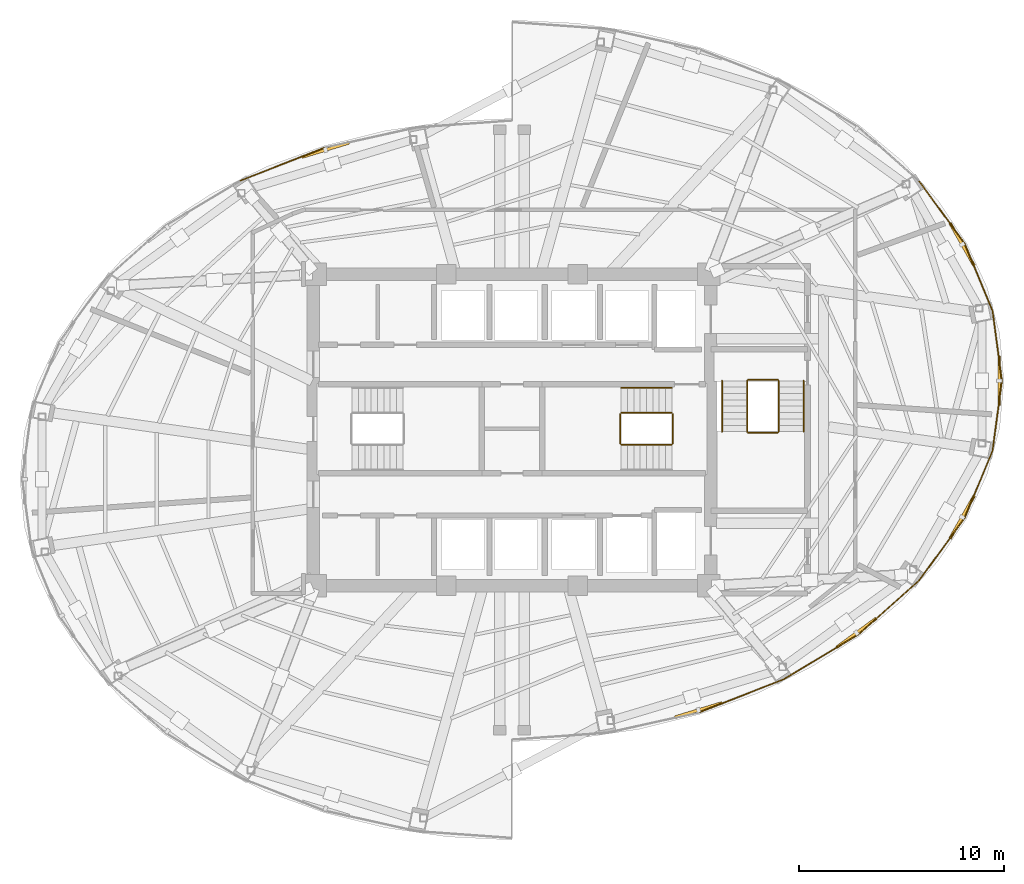
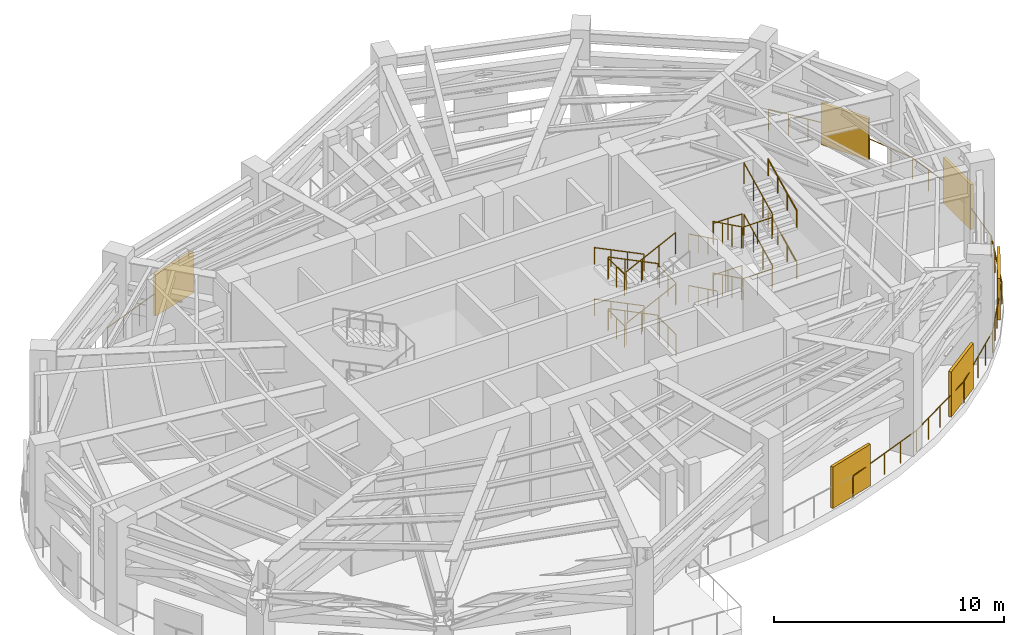
# One storey, part 11 of 12: 32 railings, 6 shading devices.
"""IFC4 building model written with IfcOpenShell, lengths in metres."""

from ifc_helpers import new_model, si_unit, direction, frame, origin, origin_2d, place, context, subcontext, project, spatial, rectangle, circle, extrude, material, type_object, element, save


model = new_model("IFC4")

# Units and contexts
model_context = context("Model", 3, precision=1e-05, world=origin(), true_north=direction((0.0, 1.0)))
body_context = subcontext(model_context, "Body", "Model", "MODEL_VIEW")
ifc_project = project(units=[si_unit("LENGTHUNIT", "METRE"), si_unit("AREAUNIT", "SQUARE_METRE"), si_unit("VOLUMEUNIT", "CUBIC_METRE"), si_unit("PLANEANGLEUNIT", "RADIAN"), si_unit("MASSUNIT", "GRAM", prefix="KILO")], contexts=[model_context])

# Site, building, storey
site_placement = place(None, origin())
site = spatial("IfcSite", under=ifc_project, at=site_placement, CompositionType="ELEMENT")
building_placement = place(site_placement, origin())
building = spatial("IfcBuilding", under=site, at=building_placement, Name="Lazwardi Medical Tower", CompositionType="ELEMENT")
storey_placement = place(building_placement, frame((0.0, 0.0, 189.360107421875)))
storey = spatial("IfcBuildingStorey", under=building, at=storey_placement, Name="L49", CompositionType="ELEMENT", Elevation=189.360107421875)

# Railings
ifc_material_1 = material(Name="Anodised bronze aluminium", Category="aluminium")
railing_type_1 = type_object("IfcRailingType", Name="RLG-BAL-1100", PredefinedType="BALUSTRADE", material=ifc_material_1)
railing_1_placement = place(storey_placement, frame((45.14599609375, 14.232177734375, 0.0)))
element("IfcRailing", 1, at=railing_1_placement, inside=storey, type_object=railing_type_1, Name="L49 Refuge Band Perimeter Balustrade 03", PredefinedType="BALUSTRADE", context=body_context, shape_type="SweptSolid", body=[
    extrude(circle(Radius=0.02392578125, at=origin_2d()), frame((0.0, 0.0, 1.1259765625), z_axis=(0.931220860045, 0.364455360528, 0.0), x_axis=(-0.364455360528, 0.931220860045, 0.0)), (0.0, 0.0, 1.0), 4.437255859375),
    extrude(circle(Radius=0.02099609375, at=origin_2d()), origin(), (0.0, 0.0, 1.0), 1.099853515625),
    extrude(circle(Radius=0.02099609375, at=origin_2d()), frame((1.032958984375, 0.404296875, 0.0)), (0.0, 0.0, 1.0), 1.099853515625),
    extrude(circle(Radius=0.02099609375, at=origin_2d()), frame((2.06591796875, 0.80859375, 0.0)), (0.0, 0.0, 1.0), 1.099853515625),
    extrude(circle(Radius=0.02099609375, at=origin_2d()), frame((3.09912109375, 1.212890625, 0.0)), (0.0, 0.0, 1.0), 1.099853515625),
    extrude(circle(Radius=0.02099609375, at=origin_2d()), frame((4.132080078125, 1.6171875, 0.0)), (0.0, 0.0, 1.0), 1.099853515625),
])
railing_2_placement = place(storey_placement, frame((49.278076171875, 15.849365234375, 0.0)))
element("IfcRailing", 2, at=railing_2_placement, inside=storey, type_object=railing_type_1, Name="L49 Refuge Band Perimeter Balustrade 04", PredefinedType="BALUSTRADE", context=body_context, shape_type="SweptSolid", body=[
    extrude(circle(Radius=0.02392578125, at=origin_2d()), frame((0.0, 0.0, 1.1259765625), z_axis=(0.857161364458, 0.51504795435, 0.0), x_axis=(-0.51504795435, 0.857161364458, 0.0)), (0.0, 0.0, 1.0), 4.225341796875),
    extrude(circle(Radius=0.02099609375, at=origin_2d()), origin(), (0.0, 0.0, 1.0), 1.099853515625),
    extrude(circle(Radius=0.02099609375, at=origin_2d()), frame((0.905517578125, 0.5439453125, 0.0)), (0.0, 0.0, 1.0), 1.099853515625),
    extrude(circle(Radius=0.02099609375, at=origin_2d()), frame((1.81103515625, 1.088134765625, 0.0)), (0.0, 0.0, 1.0), 1.099853515625),
    extrude(circle(Radius=0.02099609375, at=origin_2d()), frame((2.71630859375, 1.63232421875, 0.0)), (0.0, 0.0, 1.0), 1.099853515625),
    extrude(circle(Radius=0.02099609375, at=origin_2d()), frame((3.621826171875, 2.17626953125, 0.0)), (0.0, 0.0, 1.0), 1.099853515625),
])
railing_3_placement = place(storey_placement, frame((52.89990234375, 18.025634765625, 0.0)))
element("IfcRailing", 3, at=railing_3_placement, inside=storey, type_object=railing_type_1, Name="L49 Refuge Band Perimeter Balustrade 05", PredefinedType="BALUSTRADE", context=body_context, shape_type="SweptSolid", body=[
    extrude(circle(Radius=0.02392578125, at=origin_2d()), frame((0.0, 0.0, 1.1259765625), z_axis=(0.746170343463, 0.665755073985, 0.0), x_axis=(-0.665755073985, 0.746170343463, 0.0)), (0.0, 0.0, 1.0), 3.983154296875),
    extrude(circle(Radius=0.02099609375, at=origin_2d()), origin(), (0.0, 0.0, 1.0), 1.099853515625),
    extrude(circle(Radius=0.02099609375, at=origin_2d()), frame((0.7431640625, 0.6630859375, 0.0)), (0.0, 0.0, 1.0), 1.099853515625),
    extrude(circle(Radius=0.02099609375, at=origin_2d()), frame((1.486083984375, 1.325927734375, 0.0)), (0.0, 0.0, 1.0), 1.099853515625),
    extrude(circle(Radius=0.02099609375, at=origin_2d()), frame((2.22900390625, 1.98876953125, 0.0)), (0.0, 0.0, 1.0), 1.099853515625),
    extrude(circle(Radius=0.02099609375, at=origin_2d()), frame((2.97216796875, 2.65185546875, 0.0)), (0.0, 0.0, 1.0), 1.099853515625),
])
railing_4_placement = place(storey_placement, frame((55.8720703125, 20.677490234375, 0.0)))
element("IfcRailing", 4, at=railing_4_placement, inside=storey, type_object=railing_type_1, Name="L49 Refuge Band Perimeter Balustrade 06", PredefinedType="BALUSTRADE", context=body_context, shape_type="SweptSolid", body=[
    extrude(circle(Radius=0.02392578125, at=origin_2d()), frame((0.0, 0.0, 1.1259765625), z_axis=(0.589647217937, 0.807660917947, 0.0), x_axis=(-0.807660917947, 0.589647217937, 0.0)), (0.0, 0.0, 1.0), 3.745849609375),
    extrude(circle(Radius=0.02099609375, at=origin_2d()), origin(), (0.0, 0.0, 1.0), 1.099853515625),
    extrude(circle(Radius=0.02099609375, at=origin_2d()), frame((0.55224609375, 0.75634765625, 0.0)), (0.0, 0.0, 1.0), 1.099853515625),
    extrude(circle(Radius=0.02099609375, at=origin_2d()), frame((1.1044921875, 1.5126953125, 0.0)), (0.0, 0.0, 1.0), 1.099853515625),
    extrude(circle(Radius=0.02099609375, at=origin_2d()), frame((1.656494140625, 2.26904296875, 0.0)), (0.0, 0.0, 1.0), 1.099853515625),
    extrude(circle(Radius=0.02099609375, at=origin_2d()), frame((2.208740234375, 3.025390625, 0.0)), (0.0, 0.0, 1.0), 1.099853515625),
])
railing_5_placement = place(storey_placement, frame((58.080810546875, 23.702880859375, 0.0)))
element("IfcRailing", 5, at=railing_5_placement, inside=storey, type_object=railing_type_1, Name="L49 Refuge Band Perimeter Balustrade 07", PredefinedType="BALUSTRADE", context=body_context, shape_type="SweptSolid", body=[
    extrude(circle(Radius=0.02392578125, at=origin_2d()), frame((0.0, 0.0, 1.1259765625), z_axis=(0.382746191668, 0.923853534259, 0.0), x_axis=(-0.923853534259, 0.382746191668, 0.0)), (0.0, 0.0, 1.0), 3.553466796875),
    extrude(circle(Radius=0.02099609375, at=origin_2d()), origin(), (0.0, 0.0, 1.0), 1.099853515625),
    extrude(circle(Radius=0.02099609375, at=origin_2d()), frame((0.453369140625, 1.09423828125, 0.0)), (0.0, 0.0, 1.0), 1.099853515625),
    extrude(circle(Radius=0.02099609375, at=origin_2d()), frame((0.90673828125, 2.188720703125, 0.0)), (0.0, 0.0, 1.0), 1.099853515625),
    extrude(circle(Radius=0.02099609375, at=origin_2d()), frame((1.360107421875, 3.282958984375, 0.0)), (0.0, 0.0, 1.0), 1.099853515625),
])
railing_6_placement = place(storey_placement, frame((59.44091796875, 26.98583984375, 0.0)))
element("IfcRailing", 6, at=railing_6_placement, inside=storey, type_object=railing_type_1, Name="L49 Refuge Band Perimeter Balustrade 08", PredefinedType="BALUSTRADE", context=body_context, shape_type="SweptSolid", body=[
    extrude(circle(Radius=0.02392578125, at=origin_2d()), frame((0.0, 0.0, 1.1259765625), z_axis=(0.133240659391, 0.991083713258, 0.0), x_axis=(-0.991083713258, 0.133240659391, 0.0)), (0.0, 0.0, 1.0), 3.44482421875),
    extrude(circle(Radius=0.02099609375, at=origin_2d()), origin(), (0.0, 0.0, 1.0), 1.099853515625),
    extrude(circle(Radius=0.02099609375, at=origin_2d()), frame((0.153076171875, 1.137939453125, 0.0)), (0.0, 0.0, 1.0), 1.099853515625),
    extrude(circle(Radius=0.02099609375, at=origin_2d()), frame((0.305908203125, 2.276123046875, 0.0)), (0.0, 0.0, 1.0), 1.099853515625),
    extrude(circle(Radius=0.02099609375, at=origin_2d()), frame((0.458984375, 3.4140625, 0.0)), (0.0, 0.0, 1.0), 1.099853515625),
])
railing_7_placement = place(storey_placement, frame((59.89990234375, 30.39990234375, 0.0)))
element("IfcRailing", 7, at=railing_7_placement, inside=storey, type_object=railing_type_1, Name="L49 Refuge Band Perimeter Balustrade 09", PredefinedType="BALUSTRADE", context=body_context, shape_type="SweptSolid", body=[
    extrude(circle(Radius=0.02392578125, at=origin_2d()), frame((0.0, 0.0, 1.1259765625), z_axis=(-0.133231301116, 0.991084971333, 0.0), x_axis=(-0.991084971333, -0.133231301116, 0.0)), (0.0, 0.0, 1.0), 3.445068359375),
    extrude(circle(Radius=0.02099609375, at=origin_2d()), origin(), (0.0, 0.0, 1.0), 1.099853515625),
    extrude(circle(Radius=0.02099609375, at=origin_2d()), frame((-0.153076171875, 1.13818359375, 0.0)), (0.0, 0.0, 1.0), 1.099853515625),
    extrude(circle(Radius=0.02099609375, at=origin_2d()), frame((-0.305908203125, 2.276123046875, 0.0)), (0.0, 0.0, 1.0), 1.099853515625),
    extrude(circle(Radius=0.02099609375, at=origin_2d()), frame((-0.458984375, 3.414306640625, 0.0)), (0.0, 0.0, 1.0), 1.099853515625),
])
railing_8_placement = place(storey_placement, frame((59.44091796875, 33.814208984375, 0.0)))
element("IfcRailing", 8, at=railing_8_placement, inside=storey, type_object=railing_type_1, Name="L49 Refuge Band Perimeter Balustrade 10", PredefinedType="BALUSTRADE", context=body_context, shape_type="SweptSolid", body=[
    extrude(circle(Radius=0.02392578125, at=origin_2d()), frame((0.0, 0.0, 1.1259765625), z_axis=(-0.382770486669, 0.923843468633, 0.0), x_axis=(-0.923843468633, -0.382770486669, 0.0)), (0.0, 0.0, 1.0), 3.55322265625),
    extrude(circle(Radius=0.02099609375, at=origin_2d()), origin(), (0.0, 0.0, 1.0), 1.099853515625),
    extrude(circle(Radius=0.02099609375, at=origin_2d()), frame((-0.453369140625, 1.09423828125, 0.0)), (0.0, 0.0, 1.0), 1.099853515625),
    extrude(circle(Radius=0.02099609375, at=origin_2d()), frame((-0.90673828125, 2.1884765625, 0.0)), (0.0, 0.0, 1.0), 1.099853515625),
    extrude(circle(Radius=0.02099609375, at=origin_2d()), frame((-1.360107421875, 3.28271484375, 0.0)), (0.0, 0.0, 1.0), 1.099853515625),
])
railing_9_placement = place(storey_placement, frame((58.080810546875, 37.096923828125, 0.0)))
element("IfcRailing", 9, at=railing_9_placement, inside=storey, type_object=railing_type_1, Name="L49 Refuge Band Perimeter Balustrade 11", PredefinedType="BALUSTRADE", context=body_context, shape_type="SweptSolid", body=[
    extrude(circle(Radius=0.02392578125, at=origin_2d()), frame((0.0, 0.0, 1.1259765625), z_axis=(-0.589616180045, 0.807683576798, 0.0), x_axis=(-0.807683576798, -0.589616180045, 0.0)), (0.0, 0.0, 1.0), 3.74609375),
    extrude(circle(Radius=0.02099609375, at=origin_2d()), origin(), (0.0, 0.0, 1.0), 1.099853515625),
    extrude(circle(Radius=0.02099609375, at=origin_2d()), frame((-0.55224609375, 0.75634765625, 0.0)), (0.0, 0.0, 1.0), 1.099853515625),
    extrude(circle(Radius=0.02099609375, at=origin_2d()), frame((-1.1044921875, 1.5126953125, 0.0)), (0.0, 0.0, 1.0), 1.099853515625),
    extrude(circle(Radius=0.02099609375, at=origin_2d()), frame((-1.656494140625, 2.269287109375, 0.0)), (0.0, 0.0, 1.0), 1.099853515625),
    extrude(circle(Radius=0.02099609375, at=origin_2d()), frame((-2.208740234375, 3.025634765625, 0.0)), (0.0, 0.0, 1.0), 1.099853515625),
])
railing_10_placement = place(storey_placement, frame((26.85400390625, 41.767822265625, 0.0)))
element("IfcRailing", 10, at=railing_10_placement, inside=storey, type_object=railing_type_1, Name="L49 Refuge Band Perimeter Balustrade 20", PredefinedType="BALUSTRADE", context=body_context, shape_type="SweptSolid", body=[
    extrude(circle(Radius=0.02392578125, at=origin_2d()), frame((0.0, 0.0, 1.1259765625), z_axis=(-0.931220860045, -0.364455360528, 0.0), x_axis=(0.364455360528, -0.931220860045, 0.0)), (0.0, 0.0, 1.0), 4.437255859375),
    extrude(circle(Radius=0.02099609375, at=origin_2d()), origin(), (0.0, 0.0, 1.0), 1.099853515625),
    extrude(circle(Radius=0.02099609375, at=origin_2d()), frame((-1.032958984375, -0.404296875, 0.0)), (0.0, 0.0, 1.0), 1.099853515625),
    extrude(circle(Radius=0.02099609375, at=origin_2d()), frame((-2.06591796875, -0.80859375, 0.0)), (0.0, 0.0, 1.0), 1.099853515625),
    extrude(circle(Radius=0.02099609375, at=origin_2d()), frame((-3.09912109375, -1.212890625, 0.0)), (0.0, 0.0, 1.0), 1.099853515625),
    extrude(circle(Radius=0.02099609375, at=origin_2d()), frame((-4.132080078125, -1.6171875, 0.0)), (0.0, 0.0, 1.0), 1.099853515625),
])
ifc_material_2 = material(Name="Stainless steel Grade 316", Category="steel")
railing_type_2 = type_object("IfcRailingType", Name="RLG-GRD-1150", PredefinedType="GUARDRAIL", material=ifc_material_2)
railing_11_placement = place(storey_placement, frame((43.800048828125, 28.830078125, 0.15185546875)))
element("IfcRailing", 11, at=railing_11_placement, inside=storey, type_object=railing_type_2, Name="L49 ST2 stair guard 1", PredefinedType="GUARDRAIL", context=body_context, shape_type="SweptSolid", body=[
    extrude(circle(Radius=0.02392578125, at=origin_2d()), frame((0.0, 0.0, 1.1259765625), z_axis=(-0.897865232124, 0.0, 0.440270399804), x_axis=(0.0, -1.0, 0.0)), (0.0, 0.0, 1.0), 2.76220703125),
    extrude(circle(Radius=0.02099609375, at=origin_2d()), origin(), (0.0, 0.0, 1.0), 1.099853515625),
    extrude(circle(Radius=0.02099609375, at=origin_2d()), frame((-0.82666015625, 0.0, 0.4052734375)), (0.0, 0.0, 1.0), 1.099853515625),
    extrude(circle(Radius=0.02099609375, at=origin_2d()), frame((-1.6533203125, 0.0, 0.810791015625)), (0.0, 0.0, 1.0), 1.099853515625),
    extrude(circle(Radius=0.02099609375, at=origin_2d()), frame((-2.47998046875, 0.0, 1.216064453125)), (0.0, 0.0, 1.0), 1.099853515625),
])
railing_12_placement = place(storey_placement, frame((41.27001953125, 28.780029296875, 1.367919921875)))
element("IfcRailing", 12, at=railing_12_placement, inside=storey, type_object=railing_type_2, Name="L49 ST2 stair guard 2", PredefinedType="GUARDRAIL", context=body_context, shape_type="SweptSolid", body=[
    extrude(circle(Radius=0.02392578125, at=origin_2d()), frame((0.0, 0.0, 1.1259765625), z_axis=(0.0, -1.0, 0.0), x_axis=(1.0, 0.0, 0.0)), (0.0, 0.0, 1.0), 1.43994140625),
    extrude(circle(Radius=0.02099609375, at=origin_2d()), origin(), (0.0, 0.0, 1.0), 1.099853515625),
    extrude(circle(Radius=0.02099609375, at=origin_2d()), frame((0.0, -0.719970703125, 0.0)), (0.0, 0.0, 1.0), 1.099853515625),
    extrude(circle(Radius=0.02099609375, at=origin_2d()), frame((0.0, -1.43994140625, 0.0)), (0.0, 0.0, 1.0), 1.099853515625),
])
railing_13_placement = place(storey_placement, frame((41.320068359375, 27.2900390625, 1.519775390625)))
element("IfcRailing", 13, at=railing_13_placement, inside=storey, type_object=railing_type_2, Name="L49 ST2 stair guard 3", PredefinedType="GUARDRAIL", context=body_context, shape_type="SweptSolid", body=[
    extrude(circle(Radius=0.02392578125, at=origin_2d()), frame((0.0, 0.0, 1.1259765625), z_axis=(0.897865232124, 0.0, 0.440270399804), x_axis=(0.0, 1.0, 0.0)), (0.0, 0.0, 1.0), 2.76220703125),
    extrude(circle(Radius=0.02099609375, at=origin_2d()), origin(), (0.0, 0.0, 1.0), 1.099853515625),
    extrude(circle(Radius=0.02099609375, at=origin_2d()), frame((0.82666015625, 0.0, 0.4052734375)), (0.0, 0.0, 1.0), 1.099853515625),
    extrude(circle(Radius=0.02099609375, at=origin_2d()), frame((1.6533203125, 0.0, 0.810791015625)), (0.0, 0.0, 1.0), 1.099853515625),
    extrude(circle(Radius=0.02099609375, at=origin_2d()), frame((2.47998046875, 0.0, 1.216064453125)), (0.0, 0.0, 1.0), 1.099853515625),
])
railing_14_placement = place(storey_placement, frame((43.85009765625, 28.780029296875, 2.73583984375)))
element("IfcRailing", 14, at=railing_14_placement, inside=storey, type_object=railing_type_2, Name="L49 ST2 stair guard 4", PredefinedType="GUARDRAIL", context=body_context, shape_type="SweptSolid", body=[
    extrude(circle(Radius=0.02392578125, at=origin_2d()), frame((0.0, 0.0, 1.1259765625), z_axis=(0.0, -1.0, 0.0), x_axis=(1.0, 0.0, 0.0)), (0.0, 0.0, 1.0), 1.43994140625),
    extrude(circle(Radius=0.02099609375, at=origin_2d()), origin(), (0.0, 0.0, 1.0), 1.099853515625),
    extrude(circle(Radius=0.02099609375, at=origin_2d()), frame((0.0, -0.719970703125, 0.0)), (0.0, 0.0, 1.0), 1.099853515625),
    extrude(circle(Radius=0.02099609375, at=origin_2d()), frame((0.0, -1.43994140625, 0.0)), (0.0, 0.0, 1.0), 1.099853515625),
])
railing_15_placement = place(storey_placement, frame((43.800048828125, 28.830078125, 2.887939453125)))
element("IfcRailing", 15, at=railing_15_placement, inside=storey, type_object=railing_type_2, Name="L49 ST2 stair guard 5", PredefinedType="GUARDRAIL", context=body_context, shape_type="SweptSolid", body=[
    extrude(circle(Radius=0.02392578125, at=origin_2d()), frame((0.0, 0.0, 1.1259765625), z_axis=(-0.897865232124, 0.0, 0.440270399804), x_axis=(0.0, -1.0, 0.0)), (0.0, 0.0, 1.0), 2.76220703125),
    extrude(circle(Radius=0.02099609375, at=origin_2d()), origin(), (0.0, 0.0, 1.0), 1.099853515625),
    extrude(circle(Radius=0.02099609375, at=origin_2d()), frame((-0.82666015625, 0.0, 0.4052734375)), (0.0, 0.0, 1.0), 1.099853515625),
    extrude(circle(Radius=0.02099609375, at=origin_2d()), frame((-1.6533203125, 0.0, 0.810791015625)), (0.0, 0.0, 1.0), 1.099853515625),
    extrude(circle(Radius=0.02099609375, at=origin_2d()), frame((-2.47998046875, 0.0, 1.216064453125)), (0.0, 0.0, 1.0), 1.099853515625),
])
railing_16_placement = place(storey_placement, frame((41.27001953125, 28.780029296875, 4.10400390625)))
element("IfcRailing", 16, at=railing_16_placement, inside=storey, type_object=railing_type_2, Name="L49 ST2 stair guard 6", PredefinedType="GUARDRAIL", context=body_context, shape_type="SweptSolid", body=[
    extrude(circle(Radius=0.02392578125, at=origin_2d()), frame((0.0, 0.0, 1.1259765625), z_axis=(0.0, -1.0, 0.0), x_axis=(1.0, 0.0, 0.0)), (0.0, 0.0, 1.0), 1.43994140625),
    extrude(circle(Radius=0.02099609375, at=origin_2d()), origin(), (0.0, 0.0, 1.0), 1.099853515625),
    extrude(circle(Radius=0.02099609375, at=origin_2d()), frame((0.0, -0.719970703125, 0.0)), (0.0, 0.0, 1.0), 1.099853515625),
    extrude(circle(Radius=0.02099609375, at=origin_2d()), frame((0.0, -1.43994140625, 0.0)), (0.0, 0.0, 1.0), 1.099853515625),
])
railing_17_placement = place(storey_placement, frame((41.320068359375, 27.2900390625, 4.255859375)))
element("IfcRailing", 17, at=railing_17_placement, inside=storey, type_object=railing_type_2, Name="L49 ST2 stair guard 7", PredefinedType="GUARDRAIL", context=body_context, shape_type="SweptSolid", body=[
    extrude(circle(Radius=0.02392578125, at=origin_2d()), frame((0.0, 0.0, 1.1259765625), z_axis=(0.897865232124, 0.0, 0.440270399804), x_axis=(0.0, 1.0, 0.0)), (0.0, 0.0, 1.0), 2.76220703125),
    extrude(circle(Radius=0.02099609375, at=origin_2d()), origin(), (0.0, 0.0, 1.0), 1.099853515625),
    extrude(circle(Radius=0.02099609375, at=origin_2d()), frame((0.82666015625, 0.0, 0.4052734375)), (0.0, 0.0, 1.0), 1.099853515625),
    extrude(circle(Radius=0.02099609375, at=origin_2d()), frame((1.6533203125, 0.0, 0.810791015625)), (0.0, 0.0, 1.0), 1.099853515625),
    extrude(circle(Radius=0.02099609375, at=origin_2d()), frame((2.47998046875, 0.0, 1.216064453125)), (0.0, 0.0, 1.0), 1.099853515625),
])
railing_18_placement = place(storey_placement, frame((43.85009765625, 28.780029296875, 0.0)))
element("IfcRailing", 18, at=railing_18_placement, inside=storey, type_object=railing_type_2, Name="L49 ST2 stair guard 8", PredefinedType="GUARDRAIL", context=body_context, shape_type="SweptSolid", body=[
    extrude(circle(Radius=0.02392578125, at=origin_2d()), frame((0.0, 0.0, 1.1259765625), z_axis=(0.0, -1.0, 0.0), x_axis=(1.0, 0.0, 0.0)), (0.0, 0.0, 1.0), 1.43994140625),
    extrude(circle(Radius=0.02099609375, at=origin_2d()), origin(), (0.0, 0.0, 1.0), 1.099853515625),
    extrude(circle(Radius=0.02099609375, at=origin_2d()), frame((0.0, -0.719970703125, 0.0)), (0.0, 0.0, 1.0), 1.099853515625),
    extrude(circle(Radius=0.02099609375, at=origin_2d()), frame((0.0, -1.43994140625, 0.0)), (0.0, 0.0, 1.0), 1.099853515625),
])
railing_19_placement = place(storey_placement, frame((47.469970703125, 30.39990234375, 0.15185546875)))
element("IfcRailing", 19, at=railing_19_placement, inside=storey, type_object=railing_type_2, Name="L49 ST3 stair guard 1", PredefinedType="GUARDRAIL", context=body_context, shape_type="SweptSolid", body=[
    extrude(circle(Radius=0.02392578125, at=origin_2d()), frame((0.0, 0.0, 1.1259765625), z_axis=(0.0, -0.897865232124, 0.440270399804), x_axis=(1.0, 0.0, 0.0)), (0.0, 0.0, 1.0), 2.76220703125),
    extrude(circle(Radius=0.02099609375, at=origin_2d()), origin(), (0.0, 0.0, 1.0), 1.099853515625),
    extrude(circle(Radius=0.02099609375, at=origin_2d()), frame((0.0, -0.82666015625, 0.4052734375)), (0.0, 0.0, 1.0), 1.099853515625),
    extrude(circle(Radius=0.02099609375, at=origin_2d()), frame((0.0, -1.6533203125, 0.810791015625)), (0.0, 0.0, 1.0), 1.099853515625),
    extrude(circle(Radius=0.02099609375, at=origin_2d()), frame((0.0, -2.47998046875, 1.216064453125)), (0.0, 0.0, 1.0), 1.099853515625),
])
railing_20_placement = place(storey_placement, frame((47.52001953125, 27.8701171875, 1.367919921875)))
element("IfcRailing", 20, at=railing_20_placement, inside=storey, type_object=railing_type_2, Name="L49 ST3 stair guard 2", PredefinedType="GUARDRAIL", context=body_context, shape_type="SweptSolid", body=[
    extrude(circle(Radius=0.02392578125, at=origin_2d()), frame((0.0, 0.0, 1.1259765625), z_axis=(1.0, 0.0, 0.0), x_axis=(0.0, 1.0, 0.0)), (0.0, 0.0, 1.0), 1.43994140625),
    extrude(circle(Radius=0.02099609375, at=origin_2d()), origin(), (0.0, 0.0, 1.0), 1.099853515625),
    extrude(circle(Radius=0.02099609375, at=origin_2d()), frame((0.719970703125, 0.0, 0.0)), (0.0, 0.0, 1.0), 1.099853515625),
    extrude(circle(Radius=0.02099609375, at=origin_2d()), frame((1.43994140625, 0.0, 0.0)), (0.0, 0.0, 1.0), 1.099853515625),
])
railing_21_placement = place(storey_placement, frame((49.010009765625, 27.919921875, 1.519775390625)))
element("IfcRailing", 21, at=railing_21_placement, inside=storey, type_object=railing_type_2, Name="L49 ST3 stair guard 3", PredefinedType="GUARDRAIL", context=body_context, shape_type="SweptSolid", body=[
    extrude(circle(Radius=0.02392578125, at=origin_2d()), frame((0.0, 0.0, 1.1259765625), z_axis=(0.0, 0.897865232124, 0.440270399804), x_axis=(-1.0, 0.0, 0.0)), (0.0, 0.0, 1.0), 2.76220703125),
    extrude(circle(Radius=0.02099609375, at=origin_2d()), origin(), (0.0, 0.0, 1.0), 1.099853515625),
    extrude(circle(Radius=0.02099609375, at=origin_2d()), frame((0.0, 0.82666015625, 0.4052734375)), (0.0, 0.0, 1.0), 1.099853515625),
    extrude(circle(Radius=0.02099609375, at=origin_2d()), frame((0.0, 1.6533203125, 0.810791015625)), (0.0, 0.0, 1.0), 1.099853515625),
    extrude(circle(Radius=0.02099609375, at=origin_2d()), frame((0.0, 2.47998046875, 1.216064453125)), (0.0, 0.0, 1.0), 1.099853515625),
])
railing_22_placement = place(storey_placement, frame((47.52001953125, 30.449951171875, 2.73583984375)))
element("IfcRailing", 22, at=railing_22_placement, inside=storey, type_object=railing_type_2, Name="L49 ST3 stair guard 4", PredefinedType="GUARDRAIL", context=body_context, shape_type="SweptSolid", body=[
    extrude(circle(Radius=0.02392578125, at=origin_2d()), frame((0.0, 0.0, 1.1259765625), z_axis=(1.0, 0.0, 0.0), x_axis=(0.0, 1.0, 0.0)), (0.0, 0.0, 1.0), 1.43994140625),
    extrude(circle(Radius=0.02099609375, at=origin_2d()), origin(), (0.0, 0.0, 1.0), 1.099853515625),
    extrude(circle(Radius=0.02099609375, at=origin_2d()), frame((0.719970703125, 0.0, 0.0)), (0.0, 0.0, 1.0), 1.099853515625),
    extrude(circle(Radius=0.02099609375, at=origin_2d()), frame((1.43994140625, 0.0, 0.0)), (0.0, 0.0, 1.0), 1.099853515625),
])
railing_23_placement = place(storey_placement, frame((47.469970703125, 30.39990234375, 2.887939453125)))
element("IfcRailing", 23, at=railing_23_placement, inside=storey, type_object=railing_type_2, Name="L49 ST3 stair guard 5", PredefinedType="GUARDRAIL", context=body_context, shape_type="SweptSolid", body=[
    extrude(circle(Radius=0.02392578125, at=origin_2d()), frame((0.0, 0.0, 1.1259765625), z_axis=(0.0, -0.897865232124, 0.440270399804), x_axis=(1.0, 0.0, 0.0)), (0.0, 0.0, 1.0), 2.76220703125),
    extrude(circle(Radius=0.02099609375, at=origin_2d()), origin(), (0.0, 0.0, 1.0), 1.099853515625),
    extrude(circle(Radius=0.02099609375, at=origin_2d()), frame((0.0, -0.82666015625, 0.4052734375)), (0.0, 0.0, 1.0), 1.099853515625),
    extrude(circle(Radius=0.02099609375, at=origin_2d()), frame((0.0, -1.6533203125, 0.810791015625)), (0.0, 0.0, 1.0), 1.099853515625),
    extrude(circle(Radius=0.02099609375, at=origin_2d()), frame((0.0, -2.47998046875, 1.216064453125)), (0.0, 0.0, 1.0), 1.099853515625),
])
railing_24_placement = place(storey_placement, frame((47.52001953125, 27.8701171875, 4.10400390625)))
element("IfcRailing", 24, at=railing_24_placement, inside=storey, type_object=railing_type_2, Name="L49 ST3 stair guard 6", PredefinedType="GUARDRAIL", context=body_context, shape_type="SweptSolid", body=[
    extrude(circle(Radius=0.02392578125, at=origin_2d()), frame((0.0, 0.0, 1.1259765625), z_axis=(1.0, 0.0, 0.0), x_axis=(0.0, 1.0, 0.0)), (0.0, 0.0, 1.0), 1.43994140625),
    extrude(circle(Radius=0.02099609375, at=origin_2d()), origin(), (0.0, 0.0, 1.0), 1.099853515625),
    extrude(circle(Radius=0.02099609375, at=origin_2d()), frame((0.719970703125, 0.0, 0.0)), (0.0, 0.0, 1.0), 1.099853515625),
    extrude(circle(Radius=0.02099609375, at=origin_2d()), frame((1.43994140625, 0.0, 0.0)), (0.0, 0.0, 1.0), 1.099853515625),
])
railing_25_placement = place(storey_placement, frame((49.010009765625, 27.919921875, 4.255859375)))
element("IfcRailing", 25, at=railing_25_placement, inside=storey, type_object=railing_type_2, Name="L49 ST3 stair guard 7", PredefinedType="GUARDRAIL", context=body_context, shape_type="SweptSolid", body=[
    extrude(circle(Radius=0.02392578125, at=origin_2d()), frame((0.0, 0.0, 1.1259765625), z_axis=(0.0, 0.897865232124, 0.440270399804), x_axis=(-1.0, 0.0, 0.0)), (0.0, 0.0, 1.0), 2.76220703125),
    extrude(circle(Radius=0.02099609375, at=origin_2d()), origin(), (0.0, 0.0, 1.0), 1.099853515625),
    extrude(circle(Radius=0.02099609375, at=origin_2d()), frame((0.0, 0.82666015625, 0.4052734375)), (0.0, 0.0, 1.0), 1.099853515625),
    extrude(circle(Radius=0.02099609375, at=origin_2d()), frame((0.0, 1.6533203125, 0.810791015625)), (0.0, 0.0, 1.0), 1.099853515625),
    extrude(circle(Radius=0.02099609375, at=origin_2d()), frame((0.0, 2.47998046875, 1.216064453125)), (0.0, 0.0, 1.0), 1.099853515625),
])
railing_26_placement = place(storey_placement, frame((47.52001953125, 30.449951171875, 0.0)))
element("IfcRailing", 26, at=railing_26_placement, inside=storey, type_object=railing_type_2, Name="L49 ST3 stair guard 8", PredefinedType="GUARDRAIL", context=body_context, shape_type="SweptSolid", body=[
    extrude(circle(Radius=0.02392578125, at=origin_2d()), frame((0.0, 0.0, 1.1259765625), z_axis=(1.0, 0.0, 0.0), x_axis=(0.0, 1.0, 0.0)), (0.0, 0.0, 1.0), 1.43994140625),
    extrude(circle(Radius=0.02099609375, at=origin_2d()), origin(), (0.0, 0.0, 1.0), 1.099853515625),
    extrude(circle(Radius=0.02099609375, at=origin_2d()), frame((0.719970703125, 0.0, 0.0)), (0.0, 0.0, 1.0), 1.099853515625),
    extrude(circle(Radius=0.02099609375, at=origin_2d()), frame((1.43994140625, 0.0, 0.0)), (0.0, 0.0, 1.0), 1.099853515625),
])
railing_type_3 = type_object("IfcRailingType", Name="RLG-HND-920", PredefinedType="HANDRAIL", material=ifc_material_2)
for number, where, name in (
    (27, (43.800048828125, 30.050048828125, 0.15185546875), "L49 ST2 stair handrail 1"),
    (28, (43.800048828125, 30.050048828125, 2.887939453125), "L49 ST2 stair handrail 3"),
):
    element("IfcRailing", number, at=place(storey_placement, frame(where)), inside=storey, type_object=railing_type_3, Name=name, PredefinedType="HANDRAIL", context=body_context, shape_type="SweptSolid", body=[
        extrude(circle(Radius=0.02392578125, at=origin_2d()), frame((0.0, 0.0, 0.8857421875), z_axis=(-0.897865232124, 0.0, 0.440270399804), x_axis=(0.0, -1.0, 0.0)), (0.0, 0.0, 1.0), 2.76220703125),
        extrude(circle(Radius=0.02099609375, at=origin_2d()), origin(), (0.0, 0.0, 1.0), 0.85986328125),
        extrude(circle(Radius=0.02099609375, at=origin_2d()), frame((-0.82666015625, 0.0, 0.4052734375)), (0.0, 0.0, 1.0), 0.85986328125),
        extrude(circle(Radius=0.02099609375, at=origin_2d()), frame((-1.6533203125, 0.0, 0.810791015625)), (0.0, 0.0, 1.0), 0.85986328125),
        extrude(circle(Radius=0.02099609375, at=origin_2d()), frame((-2.47998046875, 0.0, 1.216064453125)), (0.0, 0.0, 1.0), 0.85986328125),
    ])
railing_27_placement = place(storey_placement, frame((46.25, 30.39990234375, 0.15185546875)))
element("IfcRailing", 29, at=railing_27_placement, inside=storey, type_object=railing_type_3, Name="L49 ST3 stair handrail 1", PredefinedType="HANDRAIL", context=body_context, shape_type="SweptSolid", body=[
    extrude(circle(Radius=0.02392578125, at=origin_2d()), frame((0.0, 0.0, 0.8857421875), z_axis=(0.0, -0.897865232124, 0.440270399804), x_axis=(1.0, 0.0, 0.0)), (0.0, 0.0, 1.0), 2.76220703125),
    extrude(circle(Radius=0.02099609375, at=origin_2d()), origin(), (0.0, 0.0, 1.0), 0.85986328125),
    extrude(circle(Radius=0.02099609375, at=origin_2d()), frame((0.0, -0.82666015625, 0.4052734375)), (0.0, 0.0, 1.0), 0.85986328125),
    extrude(circle(Radius=0.02099609375, at=origin_2d()), frame((0.0, -1.6533203125, 0.810791015625)), (0.0, 0.0, 1.0), 0.85986328125),
    extrude(circle(Radius=0.02099609375, at=origin_2d()), frame((0.0, -2.47998046875, 1.216064453125)), (0.0, 0.0, 1.0), 0.85986328125),
])
railing_28_placement = place(storey_placement, frame((50.22998046875, 27.919921875, 1.519775390625)))
element("IfcRailing", 30, at=railing_28_placement, inside=storey, type_object=railing_type_3, Name="L49 ST3 stair handrail 2", PredefinedType="HANDRAIL", context=body_context, shape_type="SweptSolid", body=[
    extrude(circle(Radius=0.02392578125, at=origin_2d()), frame((0.0, 0.0, 0.8857421875), z_axis=(0.0, 0.897865232124, 0.440270399804), x_axis=(-1.0, 0.0, 0.0)), (0.0, 0.0, 1.0), 2.76220703125),
    extrude(circle(Radius=0.02099609375, at=origin_2d()), origin(), (0.0, 0.0, 1.0), 0.85986328125),
    extrude(circle(Radius=0.02099609375, at=origin_2d()), frame((0.0, 0.82666015625, 0.4052734375)), (0.0, 0.0, 1.0), 0.85986328125),
    extrude(circle(Radius=0.02099609375, at=origin_2d()), frame((0.0, 1.6533203125, 0.810791015625)), (0.0, 0.0, 1.0), 0.85986328125),
    extrude(circle(Radius=0.02099609375, at=origin_2d()), frame((0.0, 2.47998046875, 1.216064453125)), (0.0, 0.0, 1.0), 0.85986328125),
])
railing_29_placement = place(storey_placement, frame((46.25, 30.39990234375, 2.887939453125)))
element("IfcRailing", 31, at=railing_29_placement, inside=storey, type_object=railing_type_3, Name="L49 ST3 stair handrail 3", PredefinedType="HANDRAIL", context=body_context, shape_type="SweptSolid", body=[
    extrude(circle(Radius=0.02392578125, at=origin_2d()), frame((0.0, 0.0, 0.8857421875), z_axis=(0.0, -0.897865232124, 0.440270399804), x_axis=(1.0, 0.0, 0.0)), (0.0, 0.0, 1.0), 2.76220703125),
    extrude(circle(Radius=0.02099609375, at=origin_2d()), origin(), (0.0, 0.0, 1.0), 0.85986328125),
    extrude(circle(Radius=0.02099609375, at=origin_2d()), frame((0.0, -0.82666015625, 0.4052734375)), (0.0, 0.0, 1.0), 0.85986328125),
    extrude(circle(Radius=0.02099609375, at=origin_2d()), frame((0.0, -1.6533203125, 0.810791015625)), (0.0, 0.0, 1.0), 0.85986328125),
    extrude(circle(Radius=0.02099609375, at=origin_2d()), frame((0.0, -2.47998046875, 1.216064453125)), (0.0, 0.0, 1.0), 0.85986328125),
])
railing_30_placement = place(storey_placement, frame((50.22998046875, 27.919921875, 4.255859375)))
element("IfcRailing", 32, at=railing_30_placement, inside=storey, type_object=railing_type_3, Name="L49 ST3 stair handrail 4", PredefinedType="HANDRAIL", context=body_context, shape_type="SweptSolid", body=[
    extrude(circle(Radius=0.02392578125, at=origin_2d()), frame((0.0, 0.0, 0.8857421875), z_axis=(0.0, 0.897865232124, 0.440270399804), x_axis=(-1.0, 0.0, 0.0)), (0.0, 0.0, 1.0), 2.76220703125),
    extrude(circle(Radius=0.02099609375, at=origin_2d()), origin(), (0.0, 0.0, 1.0), 0.85986328125),
    extrude(circle(Radius=0.02099609375, at=origin_2d()), frame((0.0, 0.82666015625, 0.4052734375)), (0.0, 0.0, 1.0), 0.85986328125),
    extrude(circle(Radius=0.02099609375, at=origin_2d()), frame((0.0, 1.6533203125, 0.810791015625)), (0.0, 0.0, 1.0), 0.85986328125),
    extrude(circle(Radius=0.02099609375, at=origin_2d()), frame((0.0, 2.47998046875, 1.216064453125)), (0.0, 0.0, 1.0), 0.85986328125),
])

# Shading devices
ifc_material_3 = material(Name="Anodised bronze aluminium storm louvre", Category="aluminium")
shading_device_type_1 = type_object("IfcShadingDeviceType", Name="SHD-LVR-01", PredefinedType="JALOUSIE", material=ifc_material_3)
for number, where, z_axis, x_axis, name in (
    (33, (45.09521484375, 14.337158203125, 0.0), (0.0, 0.0, 1.0), (0.957032496358, 0.28998069059, 0.0), "L49 Tropical Storm Louvre 01"),
    (34, (57.95751953125, 23.74658203125, 0.0), (0.0, 0.0, 1.0), (0.49272582279, 0.87018461464, 0.0), "L49 Tropical Storm Louvre 03"),
    (35, (57.95751953125, 37.053466796875, 0.0), (0.0, 0.0, 1.0), (-0.49272582279, 0.87018461464, 0.0), "L49 Tropical Storm Louvre 05"),
    (36, (26.90478515625, 41.662841796875, 0.0), (0.0, 0.0, 1.0), (-0.957032496358, -0.28998069059, 0.0), "L49 Tropical Storm Louvre 09"),
):
    element("IfcShadingDevice", number, at=place(storey_placement, frame(where, z_axis=z_axis, x_axis=x_axis)), inside=storey, type_object=shading_device_type_1, Name=name, PredefinedType="JALOUSIE", context=body_context, shape_type="SweptSolid", body=[
        extrude(rectangle(XDim=2.39990234375, YDim=0.139892578125, at=origin_2d()), origin(), (0.0, 0.0, 1.0), 2.199951171875),
    ])
ifc_material_4 = material(Name="Perforated bronze girih solar screen", Category="aluminium")
shading_device_type_2 = type_object("IfcShadingDeviceType", Name="SHD-SCR-01", PredefinedType="USERDEFINED", material=ifc_material_4)
for number, where, z_axis, x_axis, name in (
    (37, (52.805419921875, 18.10595703125, 0.0), (0.0, 0.0, 1.0), (0.807100478393, 0.590414107028, 0.0), "L49 Bronze Girih Solar Screen 02"),
    (38, (59.7666015625, 30.39990234375, 0.0), (0.0, 0.0, 1.0), (0.0, 1.0, 0.0), "L49 Bronze Girih Solar Screen 04"),
):
    element("IfcShadingDevice", number, at=place(storey_placement, frame(where, z_axis=z_axis, x_axis=x_axis)), inside=storey, type_object=shading_device_type_2, Name=name, ObjectType="SCREEN", PredefinedType="USERDEFINED", context=body_context, shape_type="SweptSolid", body=[
        extrude(rectangle(XDim=2.39990234375, YDim=0.139892578125, at=origin_2d()), origin(), (0.0, 0.0, 1.0), 2.39990234375),
    ])

save(model, "model.ifc")
